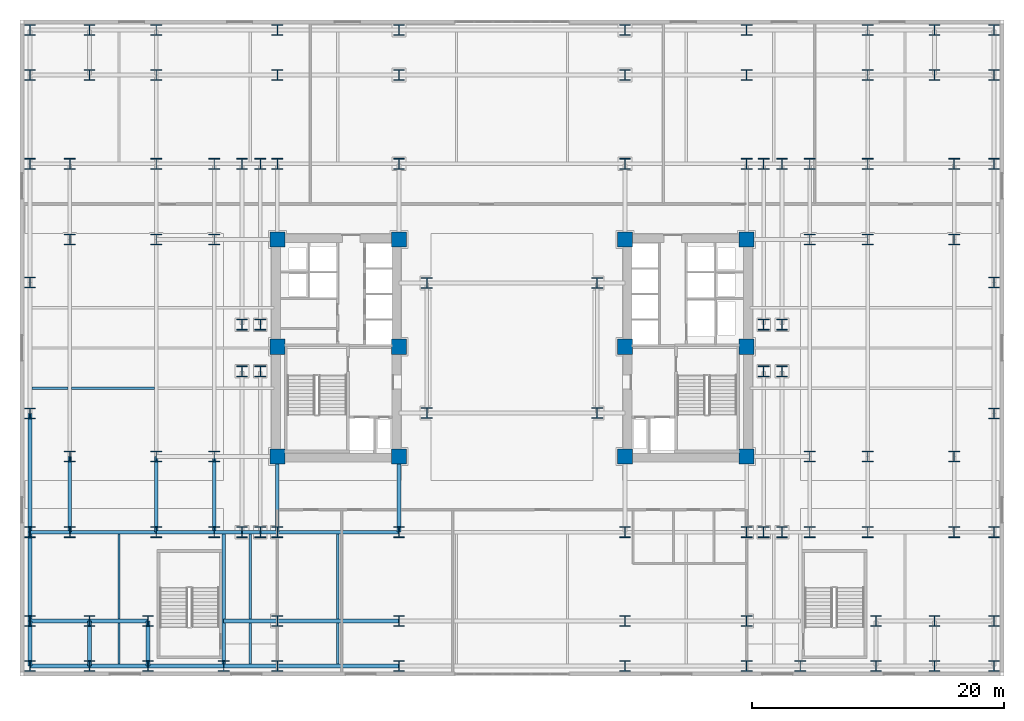
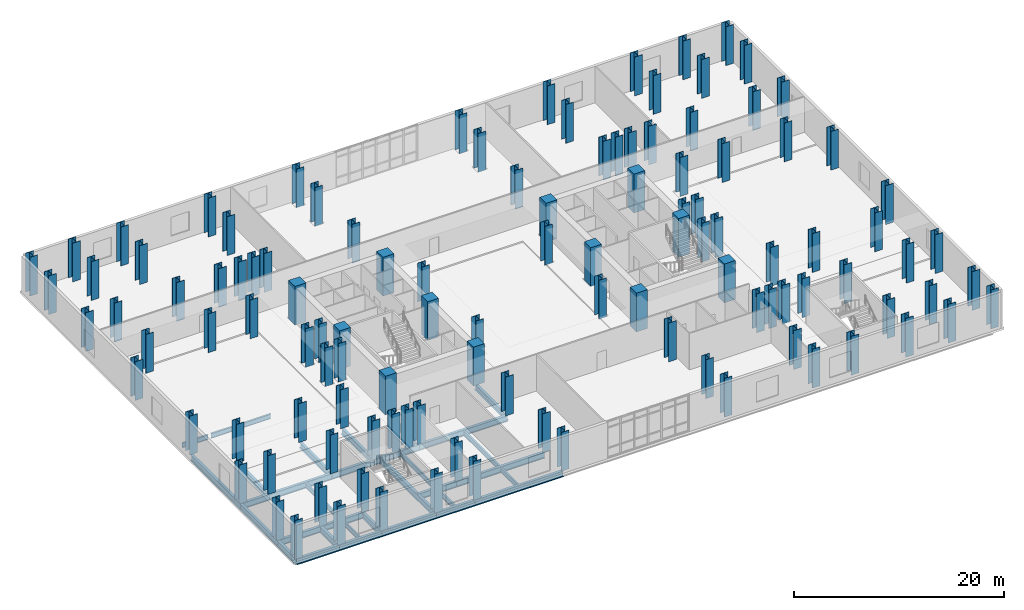
# One storey, part 1 of 15: 114 columns, 33 beams.
"""IFC4 building model written with IfcOpenShell, lengths in metres."""

from ifc_helpers import new_model, si_unit, direction, frame, origin, origin_2d, place, context, subcontext, project, spatial, rectangle, i_section, extrude, material, material_profile, profile_set, type_object, element, save


model = new_model("IFC4")

# Units and contexts
model_context = context("Model", 3, precision=1e-05, world=origin(), true_north=direction((0.0, 1.0)))
body_context = subcontext(model_context, "Body", "Model", "MODEL_VIEW")
ifc_project = project(units=[si_unit("LENGTHUNIT", "METRE"), si_unit("AREAUNIT", "SQUARE_METRE"), si_unit("VOLUMEUNIT", "CUBIC_METRE"), si_unit("PLANEANGLEUNIT", "RADIAN"), si_unit("MASSUNIT", "GRAM", prefix="KILO")], contexts=[model_context])

# Site, building, storey
site_placement = place(None, origin())
site = spatial("IfcSite", under=ifc_project, at=site_placement, CompositionType="ELEMENT")
building_placement = place(site_placement, origin())
building = spatial("IfcBuilding", under=site, at=building_placement, Name="Velakula Bourse", CompositionType="ELEMENT")
storey_placement = place(building_placement, frame((0.0, 0.0, 14.10009765625)))
storey = spatial("IfcBuildingStorey", under=building, at=storey_placement, Name="L03", CompositionType="ELEMENT", Elevation=14.10009765625)

# Columns
ifc_material_1 = material(Name="Concrete M70 (fck 70 MPa)", Category="concrete")
ifc_material_profile_1 = material_profile(ifc_material_1, rectangle(XDim=1.199951171875, YDim=1.199951171875, at=origin_2d()), Name="Concrete M70 (fck 70 MPa)")
ifc_profile_set_1 = profile_set([ifc_material_profile_1], Name="Concrete M70 (fck 70 MPa)")
column_type_1 = type_object("IfcColumnType", Name="COL-RC-1200", PredefinedType="COLUMN", material=ifc_profile_set_1)
for number, where, z_axis, x_axis, name in (
    (1, (-8.949951171875, -8.60009765625, 0.0), (0.0, 0.0, 1.0), (1.0, 0.0, 0.0), "L03 Core Boundary Column 01"),
    (2, (-8.949951171875, 0.10009765625, 0.0), (0.0, 0.0, 1.0), (1.0, 0.0, 0.0), "L03 Core Boundary Column 02"),
    (3, (-8.949951171875, 8.60009765625, 0.0), (0.0, 0.0, 1.0), (1.0, 0.0, 0.0), "L03 Core Boundary Column 03"),
    (4, (-18.60009765625, -8.60009765625, 0.0), (0.0, 0.0, 1.0), (1.0, 0.0, 0.0), "L03 Core Boundary Column 04"),
    (5, (-18.60009765625, 0.10009765625, 0.0), (0.0, 0.0, 1.0), (1.0, 0.0, 0.0), "L03 Core Boundary Column 05"),
    (6, (-18.60009765625, 8.60009765625, 0.0), (0.0, 0.0, 1.0), (1.0, 0.0, 0.0), "L03 Core Boundary Column 06"),
    (7, (8.949951171875, -8.60009765625, 0.0), (0.0, 0.0, 1.0), (1.0, 0.0, 0.0), "L03 Core Boundary Column 07"),
    (8, (8.949951171875, 0.10009765625, 0.0), (0.0, 0.0, 1.0), (1.0, 0.0, 0.0), "L03 Core Boundary Column 08"),
    (9, (8.949951171875, 8.60009765625, 0.0), (0.0, 0.0, 1.0), (1.0, 0.0, 0.0), "L03 Core Boundary Column 09"),
    (10, (18.60009765625, -8.60009765625, 0.0), (0.0, 0.0, 1.0), (1.0, 0.0, 0.0), "L03 Core Boundary Column 10"),
    (11, (18.60009765625, 0.10009765625, 0.0), (0.0, 0.0, 1.0), (1.0, 0.0, 0.0), "L03 Core Boundary Column 11"),
    (12, (18.60009765625, 8.60009765625, 0.0), (0.0, 0.0, 1.0), (1.0, 0.0, 0.0), "L03 Core Boundary Column 12"),
):
    element("IfcColumn", number, at=place(storey_placement, frame(where, z_axis=z_axis, x_axis=x_axis)), inside=storey, type_object=column_type_1, Name=name, PredefinedType="COLUMN", context=body_context, shape_type="SweptSolid", body=[
        extrude(rectangle(XDim=1.199951171875, YDim=1.199951171875, at=origin_2d()), origin(), (0.0, 0.0, 1.0), 4.5),
    ])
ifc_material_2 = material(Name="Steel IS 2062 Grade 450 (E450)", Category="steel")
ifc_material_profile_2 = material_profile(ifc_material_2, i_section(OverallWidth=0.85009765625, OverallDepth=0.85009765625, WebThickness=0.031982421875, FlangeThickness=0.048095703125, at=origin_2d()), Name="Steel IS 2062 Grade 450 (E450)")
ifc_profile_set_2 = profile_set([ifc_material_profile_2], Name="Steel IS 2062 Grade 450 (E450)")
column_type_2 = type_object("IfcColumnType", Name="COL-STL-850", PredefinedType="COLUMN", material=ifc_profile_set_2)
for number, where, z_axis, x_axis, name in (
    (13, (-6.75, -5.14990234375, 0.0), (0.0, 0.0, 1.0), (1.0, 0.0, 0.0), "L03 Central Spine Column 01"),
    (14, (-6.75, 5.14990234375, 0.0), (0.0, 0.0, 1.0), (1.0, 0.0, 0.0), "L03 Central Spine Column 02"),
    (15, (6.75, -5.14990234375, 0.0), (0.0, 0.0, 1.0), (1.0, 0.0, 0.0), "L03 Central Spine Column 03"),
    (16, (6.75, 5.14990234375, 0.0), (0.0, 0.0, 1.0), (1.0, 0.0, 0.0), "L03 Central Spine Column 04"),
    (17, (-21.39990234375, -14.60009765625, 0.0), (0.0, 0.0, 1.0), (1.0, 0.0, 0.0), "L03 Tower Fulcrum Column 01"),
    (18, (-21.39990234375, 14.60009765625, 0.0), (0.0, 0.0, 1.0), (1.0, 0.0, 0.0), "L03 Tower Fulcrum Column 02"),
    (19, (-19.949951171875, -14.60009765625, 0.0), (0.0, 0.0, 1.0), (1.0, 0.0, 0.0), "L03 Tower Fulcrum Column 03"),
    (20, (-19.949951171875, 14.60009765625, 0.0), (0.0, 0.0, 1.0), (1.0, 0.0, 0.0), "L03 Tower Fulcrum Column 04"),
    (21, (-18.60009765625, -14.60009765625, 0.0), (0.0, 0.0, 1.0), (1.0, 0.0, 0.0), "L03 Tower Fulcrum Column 05"),
    (22, (-18.60009765625, 14.60009765625, 0.0), (0.0, 0.0, 1.0), (1.0, 0.0, 0.0), "L03 Tower Fulcrum Column 06"),
    (23, (-8.949951171875, -14.60009765625, 0.0), (0.0, 0.0, 1.0), (1.0, 0.0, 0.0), "L03 Tower Fulcrum Column 07"),
    (24, (-8.949951171875, 14.60009765625, 0.0), (0.0, 0.0, 1.0), (1.0, 0.0, 0.0), "L03 Tower Fulcrum Column 08"),
    (25, (8.949951171875, -14.60009765625, 0.0), (0.0, 0.0, 1.0), (1.0, 0.0, 0.0), "L03 Tower Fulcrum Column 09"),
    (26, (8.949951171875, 14.60009765625, 0.0), (0.0, 0.0, 1.0), (1.0, 0.0, 0.0), "L03 Tower Fulcrum Column 10"),
    (27, (18.60009765625, -14.60009765625, 0.0), (0.0, 0.0, 1.0), (1.0, 0.0, 0.0), "L03 Tower Fulcrum Column 11"),
    (28, (18.60009765625, 14.60009765625, 0.0), (0.0, 0.0, 1.0), (1.0, 0.0, 0.0), "L03 Tower Fulcrum Column 12"),
    (29, (19.949951171875, -14.60009765625, 0.0), (0.0, 0.0, 1.0), (1.0, 0.0, 0.0), "L03 Tower Fulcrum Column 13"),
    (30, (19.949951171875, 14.60009765625, 0.0), (0.0, 0.0, 1.0), (1.0, 0.0, 0.0), "L03 Tower Fulcrum Column 14"),
    (31, (21.39990234375, -14.60009765625, 0.0), (0.0, 0.0, 1.0), (1.0, 0.0, 0.0), "L03 Tower Fulcrum Column 15"),
    (32, (21.39990234375, 14.60009765625, 0.0), (0.0, 0.0, 1.0), (1.0, 0.0, 0.0), "L03 Tower Fulcrum Column 16"),
    (33, (-21.39990234375, -1.85009765625, 0.0), (0.0, 0.0, 1.0), (1.0, 0.0, 0.0), "L03 Tower Fulcrum Column 17"),
    (34, (-21.39990234375, 1.85009765625, 0.0), (0.0, 0.0, 1.0), (1.0, 0.0, 0.0), "L03 Tower Fulcrum Column 18"),
    (35, (-19.949951171875, -1.85009765625, 0.0), (0.0, 0.0, 1.0), (1.0, 0.0, 0.0), "L03 Tower Fulcrum Column 19"),
    (36, (-19.949951171875, 1.85009765625, 0.0), (0.0, 0.0, 1.0), (1.0, 0.0, 0.0), "L03 Tower Fulcrum Column 20"),
    (37, (19.949951171875, -1.85009765625, 0.0), (0.0, 0.0, 1.0), (1.0, 0.0, 0.0), "L03 Tower Fulcrum Column 21"),
    (38, (19.949951171875, 1.85009765625, 0.0), (0.0, 0.0, 1.0), (1.0, 0.0, 0.0), "L03 Tower Fulcrum Column 22"),
    (39, (21.39990234375, -1.85009765625, 0.0), (0.0, 0.0, 1.0), (1.0, 0.0, 0.0), "L03 Tower Fulcrum Column 23"),
    (40, (21.39990234375, 1.85009765625, 0.0), (0.0, 0.0, 1.0), (1.0, 0.0, 0.0), "L03 Tower Fulcrum Column 24"),
    (41, (-23.60009765625, -14.60009765625, 0.0), (0.0, 0.0, 1.0), (1.0, 0.0, 0.0), "L03 Mid-Wing Plumb Column 01"),
    (42, (-23.60009765625, -8.60009765625, 0.0), (0.0, 0.0, 1.0), (1.0, 0.0, 0.0), "L03 Mid-Wing Plumb Column 02"),
    (43, (-23.60009765625, 8.60009765625, 0.0), (0.0, 0.0, 1.0), (1.0, 0.0, 0.0), "L03 Mid-Wing Plumb Column 03"),
    (44, (-23.60009765625, 14.60009765625, 0.0), (0.0, 0.0, 1.0), (1.0, 0.0, 0.0), "L03 Mid-Wing Plumb Column 04"),
    (45, (23.60009765625, -14.60009765625, 0.0), (0.0, 0.0, 1.0), (1.0, 0.0, 0.0), "L03 Mid-Wing Plumb Column 05"),
    (46, (23.60009765625, -8.60009765625, 0.0), (0.0, 0.0, 1.0), (1.0, 0.0, 0.0), "L03 Mid-Wing Plumb Column 06"),
    (47, (23.60009765625, 8.60009765625, 0.0), (0.0, 0.0, 1.0), (1.0, 0.0, 0.0), "L03 Mid-Wing Plumb Column 07"),
    (48, (23.60009765625, 14.60009765625, 0.0), (0.0, 0.0, 1.0), (1.0, 0.0, 0.0), "L03 Mid-Wing Plumb Column 08"),
    (49, (-28.199951171875, -14.60009765625, 0.0), (0.0, 0.0, 1.0), (1.0, 0.0, 0.0), "L03 Lower Wing Column 01"),
    (50, (-28.199951171875, -8.60009765625, 0.0), (0.0, 0.0, 1.0), (1.0, 0.0, 0.0), "L03 Lower Wing Column 02"),
    (51, (-28.199951171875, 8.60009765625, 0.0), (0.0, 0.0, 1.0), (1.0, 0.0, 0.0), "L03 Lower Wing Column 03"),
    (52, (-28.199951171875, 14.60009765625, 0.0), (0.0, 0.0, 1.0), (1.0, 0.0, 0.0), "L03 Lower Wing Column 04"),
    (53, (28.199951171875, -14.60009765625, 0.0), (0.0, 0.0, 1.0), (1.0, 0.0, 0.0), "L03 Lower Wing Column 05"),
    (54, (28.199951171875, -8.60009765625, 0.0), (0.0, 0.0, 1.0), (1.0, 0.0, 0.0), "L03 Lower Wing Column 06"),
    (55, (28.199951171875, 8.60009765625, 0.0), (0.0, 0.0, 1.0), (1.0, 0.0, 0.0), "L03 Lower Wing Column 07"),
    (56, (28.199951171875, 14.60009765625, 0.0), (0.0, 0.0, 1.0), (1.0, 0.0, 0.0), "L03 Lower Wing Column 08"),
    (57, (-35.050048828125, -14.60009765625, 0.0), (0.0, 0.0, 1.0), (1.0, 0.0, 0.0), "L03 Station Podium Grid Column 01"),
    (58, (-35.050048828125, -8.60009765625, 0.0), (0.0, 0.0, 1.0), (1.0, 0.0, 0.0), "L03 Station Podium Grid Column 02"),
    (59, (-35.050048828125, 8.60009765625, 0.0), (0.0, 0.0, 1.0), (1.0, 0.0, 0.0), "L03 Station Podium Grid Column 03"),
    (60, (-35.050048828125, 14.60009765625, 0.0), (0.0, 0.0, 1.0), (1.0, 0.0, 0.0), "L03 Station Podium Grid Column 04"),
    (61, (35.050048828125, -14.60009765625, 0.0), (0.0, 0.0, 1.0), (1.0, 0.0, 0.0), "L03 Station Podium Grid Column 05"),
    (62, (35.050048828125, -8.60009765625, 0.0), (0.0, 0.0, 1.0), (1.0, 0.0, 0.0), "L03 Station Podium Grid Column 06"),
    (63, (35.050048828125, 8.60009765625, 0.0), (0.0, 0.0, 1.0), (1.0, 0.0, 0.0), "L03 Station Podium Grid Column 07"),
    (64, (35.050048828125, 14.60009765625, 0.0), (0.0, 0.0, 1.0), (1.0, 0.0, 0.0), "L03 Station Podium Grid Column 08"),
    (65, (-38.199951171875, -21.64990234375, 0.0), (0.0, 0.0, 1.0), (1.0, 0.0, 0.0), "L03 Station Podium Grid Column 09"),
    (66, (-38.199951171875, 21.64990234375, 0.0), (0.0, 0.0, 1.0), (1.0, 0.0, 0.0), "L03 Station Podium Grid Column 10"),
    (67, (-33.5, -21.64990234375, 0.0), (0.0, 0.0, 1.0), (1.0, 0.0, 0.0), "L03 Station Podium Grid Column 11"),
    (68, (-33.5, 21.64990234375, 0.0), (0.0, 0.0, 1.0), (1.0, 0.0, 0.0), "L03 Station Podium Grid Column 12"),
    (69, (-28.85009765625, -21.64990234375, 0.0), (0.0, 0.0, 1.0), (1.0, 0.0, 0.0), "L03 Station Podium Grid Column 13"),
    (70, (-28.199951171875, 21.64990234375, 0.0), (0.0, 0.0, 1.0), (1.0, 0.0, 0.0), "L03 Station Podium Grid Column 14"),
    (71, (-18.60009765625, -21.64990234375, 0.0), (0.0, 0.0, 1.0), (1.0, 0.0, 0.0), "L03 Station Podium Grid Column 15"),
    (72, (-18.60009765625, 21.64990234375, 0.0), (0.0, 0.0, 1.0), (1.0, 0.0, 0.0), "L03 Station Podium Grid Column 16"),
    (73, (-8.949951171875, -21.64990234375, 0.0), (0.0, 0.0, 1.0), (1.0, 0.0, 0.0), "L03 Station Podium Grid Column 17"),
    (74, (-8.949951171875, 21.64990234375, 0.0), (0.0, 0.0, 1.0), (1.0, 0.0, 0.0), "L03 Station Podium Grid Column 18"),
    (75, (8.949951171875, -21.64990234375, 0.0), (0.0, 0.0, 1.0), (1.0, 0.0, 0.0), "L03 Station Podium Grid Column 19"),
    (76, (8.949951171875, 21.64990234375, 0.0), (0.0, 0.0, 1.0), (1.0, 0.0, 0.0), "L03 Station Podium Grid Column 20"),
    (77, (18.60009765625, -21.64990234375, 0.0), (0.0, 0.0, 1.0), (1.0, 0.0, 0.0), "L03 Station Podium Grid Column 21"),
    (78, (18.60009765625, 21.64990234375, 0.0), (0.0, 0.0, 1.0), (1.0, 0.0, 0.0), "L03 Station Podium Grid Column 22"),
    (79, (28.85009765625, -21.64990234375, 0.0), (0.0, 0.0, 1.0), (1.0, 0.0, 0.0), "L03 Station Podium Grid Column 23"),
    (80, (28.199951171875, 21.64990234375, 0.0), (0.0, 0.0, 1.0), (1.0, 0.0, 0.0), "L03 Station Podium Grid Column 24"),
    (81, (33.5, -21.64990234375, 0.0), (0.0, 0.0, 1.0), (1.0, 0.0, 0.0), "L03 Station Podium Grid Column 25"),
    (82, (33.5, 21.64990234375, 0.0), (0.0, 0.0, 1.0), (1.0, 0.0, 0.0), "L03 Station Podium Grid Column 26"),
    (83, (38.199951171875, -21.64990234375, 0.0), (0.0, 0.0, 1.0), (1.0, 0.0, 0.0), "L03 Station Podium Grid Column 27"),
    (84, (38.199951171875, 21.64990234375, 0.0), (0.0, 0.0, 1.0), (1.0, 0.0, 0.0), "L03 Station Podium Grid Column 28"),
    (85, (-38.199951171875, -25.199951171875, 0.0), (0.0, 0.0, 1.0), (1.0, 0.0, 0.0), "L03 Station Podium Grid Column 29"),
    (86, (-38.199951171875, 25.199951171875, 0.0), (0.0, 0.0, 1.0), (1.0, 0.0, 0.0), "L03 Station Podium Grid Column 30"),
    (87, (-33.5, -25.199951171875, 0.0), (0.0, 0.0, 1.0), (1.0, 0.0, 0.0), "L03 Station Podium Grid Column 31"),
    (88, (-33.5, 25.199951171875, 0.0), (0.0, 0.0, 1.0), (1.0, 0.0, 0.0), "L03 Station Podium Grid Column 32"),
    (89, (-28.85009765625, -25.199951171875, 0.0), (0.0, 0.0, 1.0), (1.0, 0.0, 0.0), "L03 Station Podium Grid Column 33"),
    (90, (-28.199951171875, 25.199951171875, 0.0), (0.0, 0.0, 1.0), (1.0, 0.0, 0.0), "L03 Station Podium Grid Column 34"),
    (91, (-22.85009765625, -25.199951171875, 0.0), (0.0, 0.0, 1.0), (1.0, 0.0, 0.0), "L03 Station Podium Grid Column 35"),
    (92, (22.85009765625, -25.199951171875, 0.0), (0.0, 0.0, 1.0), (1.0, 0.0, 0.0), "L03 Station Podium Grid Column 36"),
    (93, (-18.60009765625, -25.199951171875, 0.0), (0.0, 0.0, 1.0), (1.0, 0.0, 0.0), "L03 Station Podium Grid Column 39"),
    (94, (-18.60009765625, 25.199951171875, 0.0), (0.0, 0.0, 1.0), (1.0, 0.0, 0.0), "L03 Station Podium Grid Column 40"),
    (95, (-8.949951171875, -25.199951171875, 0.0), (0.0, 0.0, 1.0), (1.0, 0.0, 0.0), "L03 Station Podium Grid Column 41"),
    (96, (-8.949951171875, 25.199951171875, 0.0), (0.0, 0.0, 1.0), (1.0, 0.0, 0.0), "L03 Station Podium Grid Column 42"),
    (97, (8.949951171875, -25.199951171875, 0.0), (0.0, 0.0, 1.0), (1.0, 0.0, 0.0), "L03 Station Podium Grid Column 43"),
    (98, (8.949951171875, 25.199951171875, 0.0), (0.0, 0.0, 1.0), (1.0, 0.0, 0.0), "L03 Station Podium Grid Column 44"),
    (99, (18.60009765625, -25.199951171875, 0.0), (0.0, 0.0, 1.0), (1.0, 0.0, 0.0), "L03 Station Podium Grid Column 45"),
    (100, (18.60009765625, 25.199951171875, 0.0), (0.0, 0.0, 1.0), (1.0, 0.0, 0.0), "L03 Station Podium Grid Column 46"),
    (101, (28.85009765625, -25.199951171875, 0.0), (0.0, 0.0, 1.0), (1.0, 0.0, 0.0), "L03 Station Podium Grid Column 47"),
    (102, (28.199951171875, 25.199951171875, 0.0), (0.0, 0.0, 1.0), (1.0, 0.0, 0.0), "L03 Station Podium Grid Column 48"),
    (103, (33.5, -25.199951171875, 0.0), (0.0, 0.0, 1.0), (1.0, 0.0, 0.0), "L03 Station Podium Grid Column 49"),
    (104, (33.5, 25.199951171875, 0.0), (0.0, 0.0, 1.0), (1.0, 0.0, 0.0), "L03 Station Podium Grid Column 50"),
    (105, (38.199951171875, -25.199951171875, 0.0), (0.0, 0.0, 1.0), (1.0, 0.0, 0.0), "L03 Station Podium Grid Column 51"),
    (106, (38.199951171875, 25.199951171875, 0.0), (0.0, 0.0, 1.0), (1.0, 0.0, 0.0), "L03 Station Podium Grid Column 52"),
    (107, (-38.199951171875, -14.60009765625, 0.0), (0.0, 0.0, 1.0), (1.0, 0.0, 0.0), "L03 Station Podium Grid Column 53"),
    (108, (-38.199951171875, -5.199951171875, 0.0), (0.0, 0.0, 1.0), (1.0, 0.0, 0.0), "L03 Station Podium Grid Column 54"),
    (109, (-38.199951171875, 5.199951171875, 0.0), (0.0, 0.0, 1.0), (1.0, 0.0, 0.0), "L03 Station Podium Grid Column 55"),
    (110, (-38.199951171875, 14.60009765625, 0.0), (0.0, 0.0, 1.0), (1.0, 0.0, 0.0), "L03 Station Podium Grid Column 56"),
    (111, (38.199951171875, -14.60009765625, 0.0), (0.0, 0.0, 1.0), (1.0, 0.0, 0.0), "L03 Station Podium Grid Column 57"),
    (112, (38.199951171875, -5.199951171875, 0.0), (0.0, 0.0, 1.0), (1.0, 0.0, 0.0), "L03 Station Podium Grid Column 58"),
    (113, (38.199951171875, 5.199951171875, 0.0), (0.0, 0.0, 1.0), (1.0, 0.0, 0.0), "L03 Station Podium Grid Column 59"),
    (114, (38.199951171875, 14.60009765625, 0.0), (0.0, 0.0, 1.0), (1.0, 0.0, 0.0), "L03 Station Podium Grid Column 60"),
):
    element("IfcColumn", number, at=place(storey_placement, frame(where, z_axis=z_axis, x_axis=x_axis)), inside=storey, type_object=column_type_2, Name=name, PredefinedType="COLUMN", context=body_context, shape_type="SweptSolid", body=[
        extrude(i_section(OverallWidth=0.85009765625, OverallDepth=0.85009765625, WebThickness=0.031982421875, FlangeThickness=0.048095703125, at=origin_2d()), origin(), (0.0, 0.0, 1.0), 4.5),
    ])

# Beams
ifc_material_3 = material(Name="Steel IS 2062 Grade 350 (E350)", Category="steel")
ifc_material_profile_3 = material_profile(ifc_material_3, i_section(OverallWidth=0.300048828125, OverallDepth=0.699951171875, WebThickness=0.01611328125, FlangeThickness=0.02490234375, at=origin_2d()), Name="Steel IS 2062 Grade 350 (E350)")
ifc_profile_set_3 = profile_set([ifc_material_profile_3], Name="Steel IS 2062 Grade 350 (E350)")
beam_type_1 = type_object("IfcBeamType", Name="BM-POD-700", PredefinedType="BEAM", material=ifc_profile_set_3)
for number, where, z_axis, x_axis, name in (
    (115, (-18.60009765625, -14.60009765625, -0.60009765625), (0.0, 1.0, 0.0), (-1.0, 0.0, 0.0), "L03 Fulcrum Grid Girder FLC-WS"),
    (116, (-8.949951171875, -14.60009765625, -0.60009765625), (0.0, 1.0, 0.0), (-1.0, 0.0, 0.0), "L03 Fulcrum Grid Girder FLC-WCS"),
):
    element("IfcBeam", number, at=place(storey_placement, frame(where, z_axis=z_axis, x_axis=x_axis)), inside=storey, type_object=beam_type_1, Name=name, PredefinedType="BEAM", context=body_context, shape_type="SweptSolid", body=[
        extrude(i_section(OverallWidth=0.300048828125, OverallDepth=0.699951171875, WebThickness=0.01611328125, FlangeThickness=0.02490234375, at=origin_2d()), origin(), (0.0, 0.0, 1.0), 6.0),
    ])
beam_1_placement = place(storey_placement, frame((-18.60009765625, -14.60009765625, -0.60009765625), z_axis=(1.0, 0.0, 0.0), x_axis=(0.0, 1.0, 0.0)))
element("IfcBeam", 117, at=beam_1_placement, inside=storey, type_object=beam_type_1, Name="L03 Fulcrum Grid Girder FLC-S1", PredefinedType="BEAM", context=body_context, shape_type="SweptSolid", body=[
    extrude(i_section(OverallWidth=0.300048828125, OverallDepth=0.699951171875, WebThickness=0.01611328125, FlangeThickness=0.02490234375, at=origin_2d()), origin(), (0.0, 0.0, 1.0), 9.650146484375),
])
beam_2_placement = place(storey_placement, frame((-23.60009765625, -14.60009765625, -0.60009765625), z_axis=(1.0, 0.0, 0.0), x_axis=(0.0, 1.0, 0.0)))
element("IfcBeam", 118, at=beam_2_placement, inside=storey, type_object=beam_type_1, Name="L03 Fulcrum Grid Girder MWG-WS1", PredefinedType="BEAM", context=body_context, shape_type="SweptSolid", body=[
    extrude(i_section(OverallWidth=0.300048828125, OverallDepth=0.699951171875, WebThickness=0.01611328125, FlangeThickness=0.02490234375, at=origin_2d()), origin(), (0.0, 0.0, 1.0), 5.0),
])
beam_3_placement = place(storey_placement, frame((-23.60009765625, -14.60009765625, -0.60009765625), z_axis=(0.0, 1.0, 0.0), x_axis=(-1.0, 0.0, 0.0)))
element("IfcBeam", 119, at=beam_3_placement, inside=storey, type_object=beam_type_1, Name="L03 Fulcrum Grid Girder MWG-WNS1", PredefinedType="BEAM", context=body_context, shape_type="SweptSolid", body=[
    extrude(i_section(OverallWidth=0.300048828125, OverallDepth=0.699951171875, WebThickness=0.01611328125, FlangeThickness=0.02490234375, at=origin_2d()), origin(), (0.0, 0.0, 1.0), 6.0),
])
beam_4_placement = place(storey_placement, frame((-28.199951171875, -14.60009765625, -0.60009765625), z_axis=(1.0, 0.0, 0.0), x_axis=(0.0, 1.0, 0.0)))
element("IfcBeam", 120, at=beam_4_placement, inside=storey, type_object=beam_type_1, Name="L03 Fulcrum Grid Girder WNG-WS1", PredefinedType="BEAM", context=body_context, shape_type="SweptSolid", body=[
    extrude(i_section(OverallWidth=0.300048828125, OverallDepth=0.699951171875, WebThickness=0.01611328125, FlangeThickness=0.02490234375, at=origin_2d()), origin(), (0.0, 0.0, 1.0), 4.599853515625),
])
beam_5_placement = place(storey_placement, frame((-28.199951171875, -14.60009765625, -0.60009765625), z_axis=(0.0, 1.0, 0.0), x_axis=(-1.0, 0.0, 0.0)))
element("IfcBeam", 121, at=beam_5_placement, inside=storey, type_object=beam_type_1, Name="L03 Fulcrum Grid Girder WNG-WNS1", PredefinedType="BEAM", context=body_context, shape_type="SweptSolid", body=[
    extrude(i_section(OverallWidth=0.300048828125, OverallDepth=0.699951171875, WebThickness=0.01611328125, FlangeThickness=0.02490234375, at=origin_2d()), origin(), (0.0, 0.0, 1.0), 6.0),
])
beam_6_placement = place(storey_placement, frame((-22.85009765625, -25.199951171875, -0.60009765625), z_axis=(0.0, 1.0, 0.0), x_axis=(-1.0, 0.0, 0.0)))
element("IfcBeam", 122, at=beam_6_placement, inside=storey, type_object=beam_type_1, Name="L03 Podium Stairwell Header Girder STW", PredefinedType="BEAM", context=body_context, shape_type="SweptSolid", body=[
    extrude(i_section(OverallWidth=0.300048828125, OverallDepth=0.699951171875, WebThickness=0.01611328125, FlangeThickness=0.02490234375, at=origin_2d()), origin(), (0.0, 0.0, 1.0), 10.599853515625),
])
beam_7_placement = place(storey_placement, frame((-38.199951171875, -25.199951171875, -0.60009765625), z_axis=(1.0, 0.0, 0.0), x_axis=(0.0, 1.0, 0.0)))
element("IfcBeam", 123, at=beam_7_placement, inside=storey, type_object=beam_type_1, Name="L03 Podium E-W Girder 01", PredefinedType="BEAM", context=body_context, shape_type="SweptSolid", body=[
    extrude(i_section(OverallWidth=0.300048828125, OverallDepth=0.699951171875, WebThickness=0.01611328125, FlangeThickness=0.02490234375, at=origin_2d()), origin(), (0.0, 0.0, 1.0), 4.699951171875),
])
beam_8_placement = place(storey_placement, frame((-33.5, -25.199951171875, -0.60009765625), z_axis=(1.0, 0.0, 0.0), x_axis=(0.0, 1.0, 0.0)))
element("IfcBeam", 124, at=beam_8_placement, inside=storey, type_object=beam_type_1, Name="L03 Podium E-W Girder 02", PredefinedType="BEAM", context=body_context, shape_type="SweptSolid", body=[
    extrude(i_section(OverallWidth=0.300048828125, OverallDepth=0.699951171875, WebThickness=0.01611328125, FlangeThickness=0.02490234375, at=origin_2d()), origin(), (0.0, 0.0, 1.0), 4.64990234375),
])
beam_9_placement = place(storey_placement, frame((-28.85009765625, -25.199951171875, -0.60009765625), z_axis=(1.0, 0.0, 0.0), x_axis=(0.0, 1.0, 0.0)))
element("IfcBeam", 125, at=beam_9_placement, inside=storey, type_object=beam_type_1, Name="L03 Podium E-W Girder 03", PredefinedType="BEAM", context=body_context, shape_type="SweptSolid", body=[
    extrude(i_section(OverallWidth=0.300048828125, OverallDepth=0.699951171875, WebThickness=0.01611328125, FlangeThickness=0.02490234375, at=origin_2d()), origin(), (0.0, 0.0, 1.0), 6.0),
])
beam_10_placement = place(storey_placement, frame((-22.85009765625, -25.199951171875, -0.60009765625), z_axis=(1.0, 0.0, 0.0), x_axis=(0.0, 1.0, 0.0)))
element("IfcBeam", 126, at=beam_10_placement, inside=storey, type_object=beam_type_1, Name="L03 Podium E-W Girder 04", PredefinedType="BEAM", context=body_context, shape_type="SweptSolid", body=[
    extrude(i_section(OverallWidth=0.300048828125, OverallDepth=0.699951171875, WebThickness=0.01611328125, FlangeThickness=0.02490234375, at=origin_2d()), origin(), (0.0, 0.0, 1.0), 4.25),
])
beam_11_placement = place(storey_placement, frame((-18.60009765625, -25.199951171875, -0.60009765625), z_axis=(1.0, 0.0, 0.0), x_axis=(0.0, 1.0, 0.0)))
element("IfcBeam", 127, at=beam_11_placement, inside=storey, type_object=beam_type_1, Name="L03 Podium E-W Girder 05", PredefinedType="BEAM", context=body_context, shape_type="SweptSolid", body=[
    extrude(i_section(OverallWidth=0.300048828125, OverallDepth=0.699951171875, WebThickness=0.01611328125, FlangeThickness=0.02490234375, at=origin_2d()), origin(), (0.0, 0.0, 1.0), 9.650146484375),
])
beam_12_placement = place(storey_placement, frame((-38.199951171875, -21.64990234375, -0.60009765625), z_axis=(1.0, 0.0, 0.0), x_axis=(0.0, 1.0, 0.0)))
element("IfcBeam", 128, at=beam_12_placement, inside=storey, type_object=beam_type_1, Name="L03 Podium E-W Girder 12", PredefinedType="BEAM", context=body_context, shape_type="SweptSolid", body=[
    extrude(i_section(OverallWidth=0.300048828125, OverallDepth=0.699951171875, WebThickness=0.01611328125, FlangeThickness=0.02490234375, at=origin_2d()), origin(), (0.0, 0.0, 1.0), 4.699951171875),
])
beam_13_placement = place(storey_placement, frame((-33.5, -21.64990234375, -0.60009765625), z_axis=(1.0, 0.0, 0.0), x_axis=(0.0, 1.0, 0.0)))
element("IfcBeam", 129, at=beam_13_placement, inside=storey, type_object=beam_type_1, Name="L03 Podium E-W Girder 13", PredefinedType="BEAM", context=body_context, shape_type="SweptSolid", body=[
    extrude(i_section(OverallWidth=0.300048828125, OverallDepth=0.699951171875, WebThickness=0.01611328125, FlangeThickness=0.02490234375, at=origin_2d()), origin(), (0.0, 0.0, 1.0), 4.64990234375),
])
beam_14_placement = place(storey_placement, frame((-22.85009765625, -21.64990234375, -0.60009765625), z_axis=(1.0, 0.0, 0.0), x_axis=(0.0, 1.0, 0.0)))
element("IfcBeam", 130, at=beam_14_placement, inside=storey, type_object=beam_type_1, Name="L03 Podium E-W Girder 14", PredefinedType="BEAM", context=body_context, shape_type="SweptSolid", body=[
    extrude(i_section(OverallWidth=0.300048828125, OverallDepth=0.699951171875, WebThickness=0.01611328125, FlangeThickness=0.02490234375, at=origin_2d()), origin(), (0.0, 0.0, 1.0), 4.25),
])
beam_15_placement = place(storey_placement, frame((-18.60009765625, -21.64990234375, -0.60009765625), z_axis=(1.0, 0.0, 0.0), x_axis=(0.0, 1.0, 0.0)))
element("IfcBeam", 131, at=beam_15_placement, inside=storey, type_object=beam_type_1, Name="L03 Podium E-W Girder 15", PredefinedType="BEAM", context=body_context, shape_type="SweptSolid", body=[
    extrude(i_section(OverallWidth=0.300048828125, OverallDepth=0.699951171875, WebThickness=0.01611328125, FlangeThickness=0.02490234375, at=origin_2d()), origin(), (0.0, 0.0, 1.0), 9.650146484375),
])
beam_16_placement = place(storey_placement, frame((-38.199951171875, -14.60009765625, -0.60009765625), z_axis=(1.0, 0.0, 0.0), x_axis=(0.0, 1.0, 0.0)))
element("IfcBeam", 132, at=beam_16_placement, inside=storey, type_object=beam_type_1, Name="L03 Podium E-W Girder 21", PredefinedType="BEAM", context=body_context, shape_type="SweptSolid", body=[
    extrude(i_section(OverallWidth=0.300048828125, OverallDepth=0.699951171875, WebThickness=0.01611328125, FlangeThickness=0.02490234375, at=origin_2d()), origin(), (0.0, 0.0, 1.0), 3.14990234375),
])
beam_17_placement = place(storey_placement, frame((-35.050048828125, -14.60009765625, -0.60009765625), z_axis=(1.0, 0.0, 0.0), x_axis=(0.0, 1.0, 0.0)))
element("IfcBeam", 133, at=beam_17_placement, inside=storey, type_object=beam_type_1, Name="L03 Podium E-W Girder 22", PredefinedType="BEAM", context=body_context, shape_type="SweptSolid", body=[
    extrude(i_section(OverallWidth=0.300048828125, OverallDepth=0.699951171875, WebThickness=0.01611328125, FlangeThickness=0.02490234375, at=origin_2d()), origin(), (0.0, 0.0, 1.0), 6.85009765625),
])
beam_18_placement = place(storey_placement, frame((-38.199951171875, -25.199951171875, -0.60009765625), z_axis=(0.0, 1.0, 0.0), x_axis=(-1.0, 0.0, 0.0)))
element("IfcBeam", 134, at=beam_18_placement, inside=storey, type_object=beam_type_1, Name="L03 Podium N-S Girder 65", PredefinedType="BEAM", context=body_context, shape_type="SweptSolid", body=[
    extrude(i_section(OverallWidth=0.300048828125, OverallDepth=0.699951171875, WebThickness=0.01611328125, FlangeThickness=0.02490234375, at=origin_2d()), origin(), (0.0, 0.0, 1.0), 3.550048828125),
])
beam_19_placement = place(storey_placement, frame((-38.199951171875, -21.64990234375, -0.60009765625), z_axis=(0.0, 1.0, 0.0), x_axis=(-1.0, 0.0, 0.0)))
element("IfcBeam", 135, at=beam_19_placement, inside=storey, type_object=beam_type_1, Name="L03 Podium N-S Girder 66", PredefinedType="BEAM", context=body_context, shape_type="SweptSolid", body=[
    extrude(i_section(OverallWidth=0.300048828125, OverallDepth=0.699951171875, WebThickness=0.01611328125, FlangeThickness=0.02490234375, at=origin_2d()), origin(), (0.0, 0.0, 1.0), 7.0498046875),
])
beam_20_placement = place(storey_placement, frame((-38.199951171875, -14.60009765625, -0.60009765625), z_axis=(0.0, 1.0, 0.0), x_axis=(-1.0, 0.0, 0.0)))
element("IfcBeam", 136, at=beam_20_placement, inside=storey, type_object=beam_type_1, Name="L03 Podium N-S Girder 67", PredefinedType="BEAM", context=body_context, shape_type="SweptSolid", body=[
    extrude(i_section(OverallWidth=0.300048828125, OverallDepth=0.699951171875, WebThickness=0.01611328125, FlangeThickness=0.02490234375, at=origin_2d()), origin(), (0.0, 0.0, 1.0), 9.400146484375),
])
beam_21_placement = place(storey_placement, frame((-35.050048828125, -14.60009765625, -0.60009765625), z_axis=(0.0, 1.0, 0.0), x_axis=(-1.0, 0.0, 0.0)))
element("IfcBeam", 137, at=beam_21_placement, inside=storey, type_object=beam_type_1, Name="L03 Podium N-S Girder 72", PredefinedType="BEAM", context=body_context, shape_type="SweptSolid", body=[
    extrude(i_section(OverallWidth=0.300048828125, OverallDepth=0.699951171875, WebThickness=0.01611328125, FlangeThickness=0.02490234375, at=origin_2d()), origin(), (0.0, 0.0, 1.0), 6.0),
])
for number, where, z_axis, x_axis, name in (
    (138, (-33.5, -25.199951171875, -0.60009765625), (0.0, 1.0, 0.0), (-1.0, 0.0, 0.0), "L03 Podium N-S Girder 75"),
    (139, (-28.85009765625, -25.199951171875, -0.60009765625), (0.0, 1.0, 0.0), (-1.0, 0.0, 0.0), "L03 Podium N-S Girder 76"),
):
    element("IfcBeam", number, at=place(storey_placement, frame(where, z_axis=z_axis, x_axis=x_axis)), inside=storey, type_object=beam_type_1, Name=name, PredefinedType="BEAM", context=body_context, shape_type="SweptSolid", body=[
        extrude(i_section(OverallWidth=0.300048828125, OverallDepth=0.699951171875, WebThickness=0.01611328125, FlangeThickness=0.02490234375, at=origin_2d()), origin(), (0.0, 0.0, 1.0), 3.550048828125),
    ])
ifc_material_profile_4 = material_profile(ifc_material_3, i_section(OverallWidth=0.18994140625, OverallDepth=0.550048828125, WebThickness=0.01123046875, FlangeThickness=0.019287109375, at=origin_2d()), Name="Steel IS 2062 Grade 350 (E350)")
ifc_profile_set_4 = profile_set([ifc_material_profile_4], Name="Steel IS 2062 Grade 350 (E350)")
beam_type_2 = type_object("IfcBeamType", Name="JST-POD-550", PredefinedType="JOIST", material=ifc_profile_set_4)
beam_22_placement = place(storey_placement, frame((-31.14990234375, -25.050048828125, -0.525146484375), z_axis=(0.0, 1.0, 0.0), x_axis=(-1.0, 0.0, 0.0)))
element("IfcBeam", 140, at=beam_22_placement, inside=storey, type_object=beam_type_2, Name="L03 Station Podium Floor Joist 01", PredefinedType="JOIST", context=body_context, shape_type="SweptSolid", body=[
    extrude(i_section(OverallWidth=0.18994140625, OverallDepth=0.550048828125, WebThickness=0.01123046875, FlangeThickness=0.019287109375, at=origin_2d()), origin(), (0.0, 0.0, 1.0), 3.25),
])
beam_23_placement = place(storey_placement, frame((-31.14990234375, -21.5, -0.525146484375), z_axis=(0.0, 1.0, 0.0), x_axis=(-1.0, 0.0, 0.0)))
element("IfcBeam", 141, at=beam_23_placement, inside=storey, type_object=beam_type_2, Name="L03 Station Podium Floor Joist 02", PredefinedType="JOIST", context=body_context, shape_type="SweptSolid", body=[
    extrude(i_section(OverallWidth=0.18994140625, OverallDepth=0.550048828125, WebThickness=0.01123046875, FlangeThickness=0.019287109375, at=origin_2d()), origin(), (0.0, 0.0, 1.0), 6.75),
])
beam_24_placement = place(storey_placement, frame((-20.75, -25.050048828125, -0.525146484375), z_axis=(0.0, 1.0, 0.0), x_axis=(-1.0, 0.0, 0.0)))
element("IfcBeam", 142, at=beam_24_placement, inside=storey, type_object=beam_type_2, Name="L03 Station Podium Floor Joist 05", PredefinedType="JOIST", context=body_context, shape_type="SweptSolid", body=[
    extrude(i_section(OverallWidth=0.18994140625, OverallDepth=0.550048828125, WebThickness=0.01123046875, FlangeThickness=0.019287109375, at=origin_2d()), origin(), (0.0, 0.0, 1.0), 3.25),
])
beam_25_placement = place(storey_placement, frame((-20.75, -21.5, -0.525146484375), z_axis=(0.0, 1.0, 0.0), x_axis=(-1.0, 0.0, 0.0)))
element("IfcBeam", 143, at=beam_25_placement, inside=storey, type_object=beam_type_2, Name="L03 Station Podium Floor Joist 06", PredefinedType="JOIST", context=body_context, shape_type="SweptSolid", body=[
    extrude(i_section(OverallWidth=0.18994140625, OverallDepth=0.550048828125, WebThickness=0.01123046875, FlangeThickness=0.019287109375, at=origin_2d()), origin(), (0.0, 0.0, 1.0), 6.75),
])
beam_26_placement = place(storey_placement, frame((-13.800048828125, -25.050048828125, -0.525146484375), z_axis=(0.0, 1.0, 0.0), x_axis=(-1.0, 0.0, 0.0)))
element("IfcBeam", 144, at=beam_26_placement, inside=storey, type_object=beam_type_2, Name="L03 Station Podium Floor Joist 09", PredefinedType="JOIST", context=body_context, shape_type="SweptSolid", body=[
    extrude(i_section(OverallWidth=0.18994140625, OverallDepth=0.550048828125, WebThickness=0.01123046875, FlangeThickness=0.019287109375, at=origin_2d()), origin(), (0.0, 0.0, 1.0), 3.25),
])
beam_27_placement = place(storey_placement, frame((-13.800048828125, -21.5, -0.525146484375), z_axis=(0.0, 1.0, 0.0), x_axis=(-1.0, 0.0, 0.0)))
element("IfcBeam", 145, at=beam_27_placement, inside=storey, type_object=beam_type_2, Name="L03 Station Podium Floor Joist 10", PredefinedType="JOIST", context=body_context, shape_type="SweptSolid", body=[
    extrude(i_section(OverallWidth=0.18994140625, OverallDepth=0.550048828125, WebThickness=0.01123046875, FlangeThickness=0.019287109375, at=origin_2d()), origin(), (0.0, 0.0, 1.0), 6.75),
])
beam_28_placement = place(storey_placement, frame((-38.050048828125, -3.199951171875, -0.525146484375), z_axis=(1.0, 0.0, 0.0), x_axis=(0.0, 1.0, 0.0)))
element("IfcBeam", 146, at=beam_28_placement, inside=storey, type_object=beam_type_2, Name="L03 Station Wing Floor Joist 33", PredefinedType="JOIST", context=body_context, shape_type="SweptSolid", body=[
    extrude(i_section(OverallWidth=0.18994140625, OverallDepth=0.550048828125, WebThickness=0.01123046875, FlangeThickness=0.019287109375, at=origin_2d()), origin(), (0.0, 0.0, 1.0), 2.85009765625),
])
beam_29_placement = place(storey_placement, frame((-34.89990234375, -3.199951171875, -0.525146484375), z_axis=(1.0, 0.0, 0.0), x_axis=(0.0, 1.0, 0.0)))
element("IfcBeam", 147, at=beam_29_placement, inside=storey, type_object=beam_type_2, Name="L03 Station Wing Floor Joist 34", PredefinedType="JOIST", context=body_context, shape_type="SweptSolid", body=[
    extrude(i_section(OverallWidth=0.18994140625, OverallDepth=0.550048828125, WebThickness=0.01123046875, FlangeThickness=0.019287109375, at=origin_2d()), origin(), (0.0, 0.0, 1.0), 6.5498046875),
])

save(model, "model.ifc")
